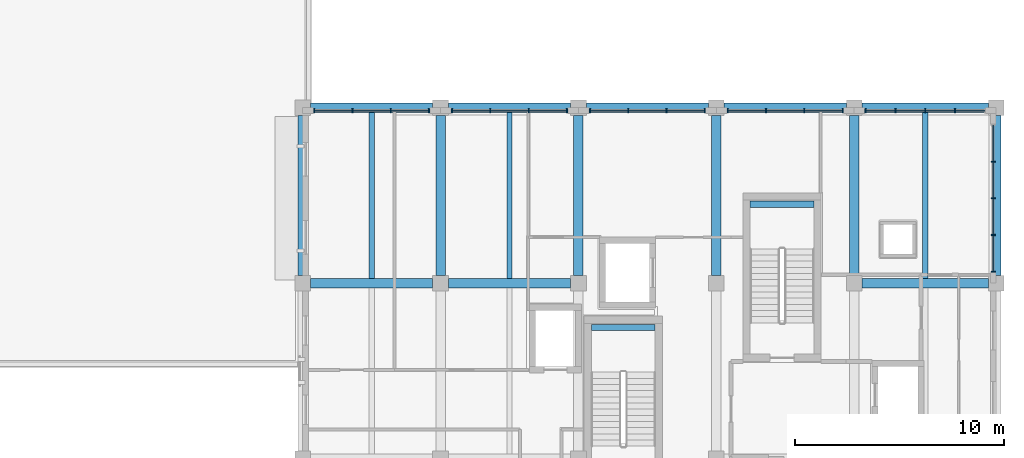
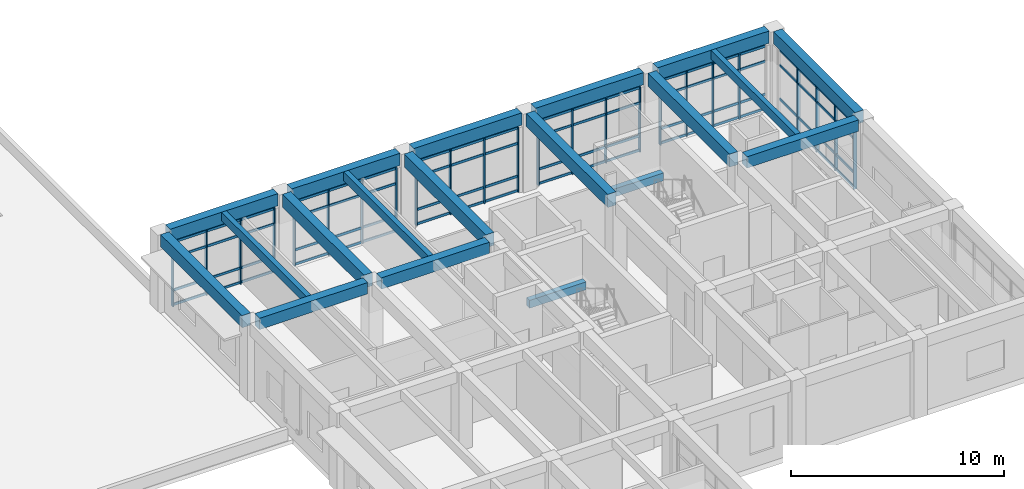
# One storey, part 17 of 50: 48 members, 19 beams, 6 elements without a shape of their own.
"""IFC4 building model written with IfcOpenShell, lengths in metres."""

from ifc_helpers import new_model, si_unit, direction, frame, origin, origin_2d, place, context, subcontext, project, spatial, rectangle, extrude, material, layer, layer_set, material_profile, profile_set, type_object, element, aggregate, save


model = new_model("IFC4")

# Units and contexts
model_context = context("Model", 3, precision=1e-05, world=origin(), true_north=direction((0.0, 1.0)))
body_context = subcontext(model_context, "Body", "Model", "MODEL_VIEW")
ifc_project = project(units=[si_unit("LENGTHUNIT", "METRE"), si_unit("AREAUNIT", "SQUARE_METRE"), si_unit("VOLUMEUNIT", "CUBIC_METRE"), si_unit("PLANEANGLEUNIT", "RADIAN"), si_unit("MASSUNIT", "GRAM", prefix="KILO")], contexts=[model_context])

# Site, building, storey
site_placement = place(None, origin())
site = spatial("IfcSite", under=ifc_project, at=site_placement, CompositionType="ELEMENT")
building_placement = place(site_placement, origin())
building = spatial("IfcBuilding", under=site, at=building_placement, Name="Kolvaren Faculty of Natural Sciences", CompositionType="ELEMENT")
storey_placement = place(building_placement, frame((0.0, 0.0, 15.0)))
storey = spatial("IfcBuildingStorey", under=building, at=storey_placement, Name="L03", CompositionType="ELEMENT", Elevation=15.0)

# Beams
ifc_material_1 = material(Name="Concrete C40/50", Category="concrete")
ifc_material_profile_1 = material_profile(ifc_material_1, rectangle(XDim=0.300048828125, YDim=0.449951171875, at=origin_2d()), Name="RC LNT 300x450")
ifc_profile_set_1 = profile_set([ifc_material_profile_1], Name="Concrete C40/50")
beam_type_1 = type_object("IfcBeamType", Name="CoreCouplingLintel_300x450", PredefinedType="LINTEL", material=ifc_profile_set_1)
beam_1_placement = place(storey_placement, frame((160.22509765625, 79.580078125, 1.824951171875), z_axis=(1.0, 0.0, 0.0), x_axis=(0.0, 1.0, 0.0)))
element("IfcBeam", 1, at=beam_1_placement, inside=storey, type_object=beam_type_1, Name="L03 ST-1 half-landing support lintel", PredefinedType="LINTEL", context=body_context, shape_type="SweptSolid", body=[
    extrude(rectangle(XDim=0.300048828125, YDim=0.449951171875, at=origin_2d()), origin(), (0.0, 0.0, 1.0), 3.0498046875),
])
beam_2_placement = place(storey_placement, frame((152.625, 73.679931640625, 1.824951171875), z_axis=(1.0, 0.0, 0.0), x_axis=(0.0, 1.0, 0.0)))
element("IfcBeam", 2, at=beam_2_placement, inside=storey, type_object=beam_type_1, Name="L03 ST-2 half-landing support lintel", PredefinedType="LINTEL", context=body_context, shape_type="SweptSolid", body=[
    extrude(rectangle(XDim=0.300048828125, YDim=0.449951171875, at=origin_2d()), origin(), (0.0, 0.0, 1.0), 3.050048828125),
])

# Curtain wall, members
ifc_material_2 = material(Name="Thermally broken anodised aluminium framing", Category="aluminium")
ifc_layer = layer(ifc_material_2, 0.179931640625)
ifc_layer_set = layer_set([ifc_layer], Name="Thermally broken anodised aluminium framing")
curtain_wall_type = type_object("IfcCurtainWallType", Name="TowerNorthCurtainWall_CW03", PredefinedType="NOTDEFINED", material=ifc_layer_set)
curtain_wall_1_placement = place(storey_placement, origin())
curtain_wall_1 = element("IfcCurtainWall", 3, at=curtain_wall_1_placement, inside=storey, type_object=curtain_wall_type, Name="L03 unitised curtain wall CW-03 (CW-L03-142)", PredefinedType="NOTDEFINED")
ifc_material_profile_2 = material_profile(ifc_material_2, rectangle(XDim=0.06005859375, YDim=0.179931640625, at=origin_2d()), Name="ALU MUL 60x180")
ifc_profile_set_2 = profile_set([ifc_material_profile_2], Name="Thermally broken anodised aluminium framing")
member_type_1 = type_object("IfcMemberType", Name="CurtainMullion_60x180", PredefinedType="MULLION", material=ifc_profile_set_2)
member_1_placement = place(storey_placement, frame((139.35009765625, 84.06005859375, 0.0), z_axis=(0.0, 0.0, 1.0), x_axis=(1.0, 0.0, 0.0)))
member_1 = element("IfcMember", 4, at=member_1_placement, type_object=member_type_1, Name="CW-L03-142 vertical mullion 1", PredefinedType="MULLION", context=body_context, shape_type="SweptSolid", body=[
    extrude(rectangle(XDim=0.06005859375, YDim=0.179931640625, at=origin_2d()), origin(), (0.0, 0.0, 1.0), 3.735107421875),
])
member_2_placement = place(storey_placement, frame((141.183349609375, 84.06005859375, 0.0), z_axis=(0.0, 0.0, 1.0), x_axis=(1.0, 0.0, 0.0)))
member_2 = element("IfcMember", 5, at=member_2_placement, type_object=member_type_1, Name="CW-L03-142 vertical mullion 2", PredefinedType="MULLION", context=body_context, shape_type="SweptSolid", body=[
    extrude(rectangle(XDim=0.06005859375, YDim=0.179931640625, at=origin_2d()), origin(), (0.0, 0.0, 1.0), 3.735107421875),
])
member_3_placement = place(storey_placement, frame((143.0166015625, 84.06005859375, 0.0), z_axis=(0.0, 0.0, 1.0), x_axis=(1.0, 0.0, 0.0)))
member_3 = element("IfcMember", 6, at=member_3_placement, type_object=member_type_1, Name="CW-L03-142 vertical mullion 3", PredefinedType="MULLION", context=body_context, shape_type="SweptSolid", body=[
    extrude(rectangle(XDim=0.06005859375, YDim=0.179931640625, at=origin_2d()), origin(), (0.0, 0.0, 1.0), 3.735107421875),
])
member_4_placement = place(storey_placement, frame((144.85009765625, 84.06005859375, 0.0), z_axis=(0.0, 0.0, 1.0), x_axis=(1.0, 0.0, 0.0)))
member_4 = element("IfcMember", 7, at=member_4_placement, type_object=member_type_1, Name="CW-L03-142 vertical mullion 4", PredefinedType="MULLION", context=body_context, shape_type="SweptSolid", body=[
    extrude(rectangle(XDim=0.06005859375, YDim=0.179931640625, at=origin_2d()), origin(), (0.0, 0.0, 1.0), 3.735107421875),
])

curtain_wall_2_placement = place(storey_placement, origin())
curtain_wall_2 = element("IfcCurtainWall", 8, at=curtain_wall_2_placement, inside=storey, type_object=curtain_wall_type, Name="L03 unitised curtain wall CW-03 (CW-L03-143)", PredefinedType="NOTDEFINED")
member_5_placement = place(storey_placement, frame((145.949951171875, 84.06005859375, 0.0), z_axis=(0.0, 0.0, 1.0), x_axis=(1.0, 0.0, 0.0)))
member_5 = element("IfcMember", 9, at=member_5_placement, type_object=member_type_1, Name="CW-L03-143 vertical mullion 1", PredefinedType="MULLION", context=body_context, shape_type="SweptSolid", body=[
    extrude(rectangle(XDim=0.06005859375, YDim=0.179931640625, at=origin_2d()), origin(), (0.0, 0.0, 1.0), 3.735107421875),
])
member_6_placement = place(storey_placement, frame((147.783203125, 84.06005859375, 0.0), z_axis=(0.0, 0.0, 1.0), x_axis=(1.0, 0.0, 0.0)))
member_6 = element("IfcMember", 10, at=member_6_placement, type_object=member_type_1, Name="CW-L03-143 vertical mullion 2", PredefinedType="MULLION", context=body_context, shape_type="SweptSolid", body=[
    extrude(rectangle(XDim=0.06005859375, YDim=0.179931640625, at=origin_2d()), origin(), (0.0, 0.0, 1.0), 3.735107421875),
])
member_7_placement = place(storey_placement, frame((149.61669921875, 84.06005859375, 0.0), z_axis=(0.0, 0.0, 1.0), x_axis=(1.0, 0.0, 0.0)))
member_7 = element("IfcMember", 11, at=member_7_placement, type_object=member_type_1, Name="CW-L03-143 vertical mullion 3", PredefinedType="MULLION", context=body_context, shape_type="SweptSolid", body=[
    extrude(rectangle(XDim=0.06005859375, YDim=0.179931640625, at=origin_2d()), origin(), (0.0, 0.0, 1.0), 3.735107421875),
])
member_8_placement = place(storey_placement, frame((151.449951171875, 84.06005859375, 0.0), z_axis=(0.0, 0.0, 1.0), x_axis=(1.0, 0.0, 0.0)))
member_8 = element("IfcMember", 12, at=member_8_placement, type_object=member_type_1, Name="CW-L03-143 vertical mullion 4", PredefinedType="MULLION", context=body_context, shape_type="SweptSolid", body=[
    extrude(rectangle(XDim=0.06005859375, YDim=0.179931640625, at=origin_2d()), origin(), (0.0, 0.0, 1.0), 3.735107421875),
])

curtain_wall_3_placement = place(storey_placement, origin())
curtain_wall_3 = element("IfcCurtainWall", 13, at=curtain_wall_3_placement, inside=storey, type_object=curtain_wall_type, Name="L03 unitised curtain wall CW-03 (CW-L03-144)", PredefinedType="NOTDEFINED")
member_9_placement = place(storey_placement, frame((152.550048828125, 84.06005859375, 0.0), z_axis=(0.0, 0.0, 1.0), x_axis=(1.0, 0.0, 0.0)))
member_9 = element("IfcMember", 14, at=member_9_placement, type_object=member_type_1, Name="CW-L03-144 vertical mullion 1", PredefinedType="MULLION", context=body_context, shape_type="SweptSolid", body=[
    extrude(rectangle(XDim=0.06005859375, YDim=0.179931640625, at=origin_2d()), origin(), (0.0, 0.0, 1.0), 3.735107421875),
])
member_10_placement = place(storey_placement, frame((154.38330078125, 84.06005859375, 0.0), z_axis=(0.0, 0.0, 1.0), x_axis=(1.0, 0.0, 0.0)))
member_10 = element("IfcMember", 15, at=member_10_placement, type_object=member_type_1, Name="CW-L03-144 vertical mullion 2", PredefinedType="MULLION", context=body_context, shape_type="SweptSolid", body=[
    extrude(rectangle(XDim=0.06005859375, YDim=0.179931640625, at=origin_2d()), origin(), (0.0, 0.0, 1.0), 3.735107421875),
])
member_11_placement = place(storey_placement, frame((156.216796875, 84.06005859375, 0.0), z_axis=(0.0, 0.0, 1.0), x_axis=(1.0, 0.0, 0.0)))
member_11 = element("IfcMember", 16, at=member_11_placement, type_object=member_type_1, Name="CW-L03-144 vertical mullion 3", PredefinedType="MULLION", context=body_context, shape_type="SweptSolid", body=[
    extrude(rectangle(XDim=0.06005859375, YDim=0.179931640625, at=origin_2d()), origin(), (0.0, 0.0, 1.0), 3.735107421875),
])
member_12_placement = place(storey_placement, frame((158.050048828125, 84.06005859375, 0.0), z_axis=(0.0, 0.0, 1.0), x_axis=(1.0, 0.0, 0.0)))
member_12 = element("IfcMember", 17, at=member_12_placement, type_object=member_type_1, Name="CW-L03-144 vertical mullion 4", PredefinedType="MULLION", context=body_context, shape_type="SweptSolid", body=[
    extrude(rectangle(XDim=0.06005859375, YDim=0.179931640625, at=origin_2d()), origin(), (0.0, 0.0, 1.0), 3.735107421875),
])

curtain_wall_4_placement = place(storey_placement, origin())
curtain_wall_4 = element("IfcCurtainWall", 18, at=curtain_wall_4_placement, inside=storey, type_object=curtain_wall_type, Name="L03 unitised curtain wall CW-03 (CW-L03-145)", PredefinedType="NOTDEFINED")
member_13_placement = place(storey_placement, frame((159.14990234375, 84.06005859375, 0.0), z_axis=(0.0, 0.0, 1.0), x_axis=(1.0, 0.0, 0.0)))
member_13 = element("IfcMember", 19, at=member_13_placement, type_object=member_type_1, Name="CW-L03-145 vertical mullion 1", PredefinedType="MULLION", context=body_context, shape_type="SweptSolid", body=[
    extrude(rectangle(XDim=0.06005859375, YDim=0.179931640625, at=origin_2d()), origin(), (0.0, 0.0, 1.0), 3.735107421875),
])
member_14_placement = place(storey_placement, frame((160.9833984375, 84.06005859375, 0.0), z_axis=(0.0, 0.0, 1.0), x_axis=(1.0, 0.0, 0.0)))
member_14 = element("IfcMember", 20, at=member_14_placement, type_object=member_type_1, Name="CW-L03-145 vertical mullion 2", PredefinedType="MULLION", context=body_context, shape_type="SweptSolid", body=[
    extrude(rectangle(XDim=0.06005859375, YDim=0.179931640625, at=origin_2d()), origin(), (0.0, 0.0, 1.0), 3.735107421875),
])
member_15_placement = place(storey_placement, frame((162.816650390625, 84.06005859375, 0.0), z_axis=(0.0, 0.0, 1.0), x_axis=(1.0, 0.0, 0.0)))
member_15 = element("IfcMember", 21, at=member_15_placement, type_object=member_type_1, Name="CW-L03-145 vertical mullion 3", PredefinedType="MULLION", context=body_context, shape_type="SweptSolid", body=[
    extrude(rectangle(XDim=0.06005859375, YDim=0.179931640625, at=origin_2d()), origin(), (0.0, 0.0, 1.0), 3.735107421875),
])
member_16_placement = place(storey_placement, frame((164.64990234375, 84.06005859375, 0.0), z_axis=(0.0, 0.0, 1.0), x_axis=(1.0, 0.0, 0.0)))
member_16 = element("IfcMember", 22, at=member_16_placement, type_object=member_type_1, Name="CW-L03-145 vertical mullion 4", PredefinedType="MULLION", context=body_context, shape_type="SweptSolid", body=[
    extrude(rectangle(XDim=0.06005859375, YDim=0.179931640625, at=origin_2d()), origin(), (0.0, 0.0, 1.0), 3.735107421875),
])

curtain_wall_5_placement = place(storey_placement, origin())
curtain_wall_5 = element("IfcCurtainWall", 23, at=curtain_wall_5_placement, inside=storey, type_object=curtain_wall_type, Name="L03 unitised curtain wall CW-03 (CW-L03-146)", PredefinedType="NOTDEFINED")
member_17_placement = place(storey_placement, frame((165.75, 84.06005859375, 0.0), z_axis=(0.0, 0.0, 1.0), x_axis=(1.0, 0.0, 0.0)))
member_17 = element("IfcMember", 24, at=member_17_placement, type_object=member_type_1, Name="CW-L03-146 vertical mullion 1", PredefinedType="MULLION", context=body_context, shape_type="SweptSolid", body=[
    extrude(rectangle(XDim=0.06005859375, YDim=0.179931640625, at=origin_2d()), origin(), (0.0, 0.0, 1.0), 3.735107421875),
])
member_18_placement = place(storey_placement, frame((167.175048828125, 84.06005859375, 0.0), z_axis=(0.0, 0.0, 1.0), x_axis=(1.0, 0.0, 0.0)))
member_18 = element("IfcMember", 25, at=member_18_placement, type_object=member_type_1, Name="CW-L03-146 vertical mullion 2", PredefinedType="MULLION", context=body_context, shape_type="SweptSolid", body=[
    extrude(rectangle(XDim=0.06005859375, YDim=0.179931640625, at=origin_2d()), origin(), (0.0, 0.0, 1.0), 3.735107421875),
])
member_19_placement = place(storey_placement, frame((168.60009765625, 84.06005859375, 0.0), z_axis=(0.0, 0.0, 1.0), x_axis=(1.0, 0.0, 0.0)))
member_19 = element("IfcMember", 26, at=member_19_placement, type_object=member_type_1, Name="CW-L03-146 vertical mullion 3", PredefinedType="MULLION", context=body_context, shape_type="SweptSolid", body=[
    extrude(rectangle(XDim=0.06005859375, YDim=0.179931640625, at=origin_2d()), origin(), (0.0, 0.0, 1.0), 3.735107421875),
])
member_20_placement = place(storey_placement, frame((170.02490234375, 84.06005859375, 0.0), z_axis=(0.0, 0.0, 1.0), x_axis=(1.0, 0.0, 0.0)))
member_20 = element("IfcMember", 27, at=member_20_placement, type_object=member_type_1, Name="CW-L03-146 vertical mullion 4", PredefinedType="MULLION", context=body_context, shape_type="SweptSolid", body=[
    extrude(rectangle(XDim=0.06005859375, YDim=0.179931640625, at=origin_2d()), origin(), (0.0, 0.0, 1.0), 3.735107421875),
])

curtain_wall_6_placement = place(storey_placement, origin())
curtain_wall_6 = element("IfcCurtainWall", 28, at=curtain_wall_6_placement, inside=storey, type_object=curtain_wall_type, Name="L03 unitised curtain wall CW-03 (CW-L03-147)", PredefinedType="NOTDEFINED")
member_21_placement = place(storey_placement, frame((171.860107421875, 81.614990234375, 0.0), z_axis=(0.0, 0.0, 1.0), x_axis=(0.0, -1.0, 0.0)))
member_21 = element("IfcMember", 29, at=member_21_placement, type_object=member_type_1, Name="CW-L03-147 vertical mullion 2", PredefinedType="MULLION", context=body_context, shape_type="SweptSolid", body=[
    extrude(rectangle(XDim=0.06005859375, YDim=0.179931640625, at=origin_2d()), origin(), (0.0, 0.0, 1.0), 3.784912109375),
])
member_22_placement = place(storey_placement, frame((171.860107421875, 79.860107421875, 0.0), z_axis=(0.0, 0.0, 1.0), x_axis=(0.0, -1.0, 0.0)))
member_22 = element("IfcMember", 30, at=member_22_placement, type_object=member_type_1, Name="CW-L03-147 vertical mullion 3", PredefinedType="MULLION", context=body_context, shape_type="SweptSolid", body=[
    extrude(rectangle(XDim=0.06005859375, YDim=0.179931640625, at=origin_2d()), origin(), (0.0, 0.0, 1.0), 3.784912109375),
])
member_23_placement = place(storey_placement, frame((171.860107421875, 78.10498046875, 0.0), z_axis=(0.0, 0.0, 1.0), x_axis=(0.0, -1.0, 0.0)))
member_23 = element("IfcMember", 31, at=member_23_placement, type_object=member_type_1, Name="CW-L03-147 vertical mullion 4", PredefinedType="MULLION", context=body_context, shape_type="SweptSolid", body=[
    extrude(rectangle(XDim=0.06005859375, YDim=0.179931640625, at=origin_2d()), origin(), (0.0, 0.0, 1.0), 3.784912109375),
])
member_24_placement = place(storey_placement, frame((171.860107421875, 76.35009765625, 0.0), z_axis=(0.0, 0.0, 1.0), x_axis=(0.0, -1.0, 0.0)))
member_24 = element("IfcMember", 32, at=member_24_placement, type_object=member_type_1, Name="CW-L03-147 vertical mullion 5", PredefinedType="MULLION", context=body_context, shape_type="SweptSolid", body=[
    extrude(rectangle(XDim=0.06005859375, YDim=0.179931640625, at=origin_2d()), origin(), (0.0, 0.0, 1.0), 3.784912109375),
])

# Member
ifc_material_profile_3 = material_profile(ifc_material_2, rectangle(XDim=0.06005859375, YDim=0.139892578125, at=origin_2d()), Name="ALU TRN 60x140")
ifc_profile_set_3 = profile_set([ifc_material_profile_3], Name="Thermally broken anodised aluminium framing")
member_type_2 = type_object("IfcMemberType", Name="CurtainTransom_60x140", PredefinedType="USERDEFINED", material=ifc_profile_set_3)
member_25_placement = place(storey_placement, frame((139.35009765625, 84.06005859375, 0.080078125), z_axis=(1.0, 0.0, 0.0), x_axis=(0.0, 1.0, 0.0)))
member_25 = element("IfcMember", 33, at=member_25_placement, type_object=member_type_2, Name="CW-L03-142 horizontal transom 1", ObjectType="TRANSOM", PredefinedType="USERDEFINED", context=body_context, shape_type="SweptSolid", body=[
    extrude(rectangle(XDim=0.06005859375, YDim=0.139892578125, at=origin_2d()), origin(), (0.0, 0.0, 1.0), 5.5),
])

member_26_placement = place(storey_placement, frame((139.35009765625, 84.06005859375, 0.89990234375), z_axis=(1.0, 0.0, 0.0), x_axis=(0.0, 1.0, 0.0)))
member_26 = element("IfcMember", 34, at=member_26_placement, type_object=member_type_2, Name="CW-L03-142 horizontal transom 2", ObjectType="TRANSOM", PredefinedType="USERDEFINED", context=body_context, shape_type="SweptSolid", body=[
    extrude(rectangle(XDim=0.06005859375, YDim=0.139892578125, at=origin_2d()), origin(), (0.0, 0.0, 1.0), 5.5),
])

member_27_placement = place(storey_placement, frame((139.35009765625, 84.06005859375, 2.784912109375), z_axis=(1.0, 0.0, 0.0), x_axis=(0.0, 1.0, 0.0)))
member_27 = element("IfcMember", 35, at=member_27_placement, type_object=member_type_2, Name="CW-L03-142 horizontal transom 3", ObjectType="TRANSOM", PredefinedType="USERDEFINED", context=body_context, shape_type="SweptSolid", body=[
    extrude(rectangle(XDim=0.06005859375, YDim=0.139892578125, at=origin_2d()), origin(), (0.0, 0.0, 1.0), 5.5),
])

member_28_placement = place(storey_placement, frame((139.35009765625, 84.06005859375, 3.655029296875), z_axis=(1.0, 0.0, 0.0), x_axis=(0.0, 1.0, 0.0)))
member_28 = element("IfcMember", 36, at=member_28_placement, type_object=member_type_2, Name="CW-L03-142 horizontal transom 4", ObjectType="TRANSOM", PredefinedType="USERDEFINED", context=body_context, shape_type="SweptSolid", body=[
    extrude(rectangle(XDim=0.06005859375, YDim=0.139892578125, at=origin_2d()), origin(), (0.0, 0.0, 1.0), 5.5),
])

aggregate(curtain_wall_1, [member_1, member_2, member_3, member_4, member_25, member_26, member_27, member_28])

member_29_placement = place(storey_placement, frame((145.949951171875, 84.06005859375, 0.080078125), z_axis=(1.0, 0.0, 0.0), x_axis=(0.0, 1.0, 0.0)))
member_29 = element("IfcMember", 37, at=member_29_placement, type_object=member_type_2, Name="CW-L03-143 horizontal transom 1", ObjectType="TRANSOM", PredefinedType="USERDEFINED", context=body_context, shape_type="SweptSolid", body=[
    extrude(rectangle(XDim=0.06005859375, YDim=0.139892578125, at=origin_2d()), origin(), (0.0, 0.0, 1.0), 5.5),
])

member_30_placement = place(storey_placement, frame((145.949951171875, 84.06005859375, 0.89990234375), z_axis=(1.0, 0.0, 0.0), x_axis=(0.0, 1.0, 0.0)))
member_30 = element("IfcMember", 38, at=member_30_placement, type_object=member_type_2, Name="CW-L03-143 horizontal transom 2", ObjectType="TRANSOM", PredefinedType="USERDEFINED", context=body_context, shape_type="SweptSolid", body=[
    extrude(rectangle(XDim=0.06005859375, YDim=0.139892578125, at=origin_2d()), origin(), (0.0, 0.0, 1.0), 5.5),
])

member_31_placement = place(storey_placement, frame((145.949951171875, 84.06005859375, 2.784912109375), z_axis=(1.0, 0.0, 0.0), x_axis=(0.0, 1.0, 0.0)))
member_31 = element("IfcMember", 39, at=member_31_placement, type_object=member_type_2, Name="CW-L03-143 horizontal transom 3", ObjectType="TRANSOM", PredefinedType="USERDEFINED", context=body_context, shape_type="SweptSolid", body=[
    extrude(rectangle(XDim=0.06005859375, YDim=0.139892578125, at=origin_2d()), origin(), (0.0, 0.0, 1.0), 5.5),
])

member_32_placement = place(storey_placement, frame((145.949951171875, 84.06005859375, 3.655029296875), z_axis=(1.0, 0.0, 0.0), x_axis=(0.0, 1.0, 0.0)))
member_32 = element("IfcMember", 40, at=member_32_placement, type_object=member_type_2, Name="CW-L03-143 horizontal transom 4", ObjectType="TRANSOM", PredefinedType="USERDEFINED", context=body_context, shape_type="SweptSolid", body=[
    extrude(rectangle(XDim=0.06005859375, YDim=0.139892578125, at=origin_2d()), origin(), (0.0, 0.0, 1.0), 5.5),
])

aggregate(curtain_wall_2, [member_5, member_6, member_7, member_8, member_29, member_30, member_31, member_32])

member_33_placement = place(storey_placement, frame((152.550048828125, 84.06005859375, 0.080078125), z_axis=(1.0, 0.0, 0.0), x_axis=(0.0, 1.0, 0.0)))
member_33 = element("IfcMember", 41, at=member_33_placement, type_object=member_type_2, Name="CW-L03-144 horizontal transom 1", ObjectType="TRANSOM", PredefinedType="USERDEFINED", context=body_context, shape_type="SweptSolid", body=[
    extrude(rectangle(XDim=0.06005859375, YDim=0.139892578125, at=origin_2d()), origin(), (0.0, 0.0, 1.0), 5.5),
])

member_34_placement = place(storey_placement, frame((152.550048828125, 84.06005859375, 0.89990234375), z_axis=(1.0, 0.0, 0.0), x_axis=(0.0, 1.0, 0.0)))
member_34 = element("IfcMember", 42, at=member_34_placement, type_object=member_type_2, Name="CW-L03-144 horizontal transom 2", ObjectType="TRANSOM", PredefinedType="USERDEFINED", context=body_context, shape_type="SweptSolid", body=[
    extrude(rectangle(XDim=0.06005859375, YDim=0.139892578125, at=origin_2d()), origin(), (0.0, 0.0, 1.0), 5.5),
])

member_35_placement = place(storey_placement, frame((152.550048828125, 84.06005859375, 2.784912109375), z_axis=(1.0, 0.0, 0.0), x_axis=(0.0, 1.0, 0.0)))
member_35 = element("IfcMember", 43, at=member_35_placement, type_object=member_type_2, Name="CW-L03-144 horizontal transom 3", ObjectType="TRANSOM", PredefinedType="USERDEFINED", context=body_context, shape_type="SweptSolid", body=[
    extrude(rectangle(XDim=0.06005859375, YDim=0.139892578125, at=origin_2d()), origin(), (0.0, 0.0, 1.0), 5.5),
])

member_36_placement = place(storey_placement, frame((152.550048828125, 84.06005859375, 3.655029296875), z_axis=(1.0, 0.0, 0.0), x_axis=(0.0, 1.0, 0.0)))
member_36 = element("IfcMember", 44, at=member_36_placement, type_object=member_type_2, Name="CW-L03-144 horizontal transom 4", ObjectType="TRANSOM", PredefinedType="USERDEFINED", context=body_context, shape_type="SweptSolid", body=[
    extrude(rectangle(XDim=0.06005859375, YDim=0.139892578125, at=origin_2d()), origin(), (0.0, 0.0, 1.0), 5.5),
])

aggregate(curtain_wall_3, [member_9, member_10, member_11, member_12, member_33, member_34, member_35, member_36])

member_37_placement = place(storey_placement, frame((159.14990234375, 84.06005859375, 0.080078125), z_axis=(1.0, 0.0, 0.0), x_axis=(0.0, 1.0, 0.0)))
member_37 = element("IfcMember", 45, at=member_37_placement, type_object=member_type_2, Name="CW-L03-145 horizontal transom 1", ObjectType="TRANSOM", PredefinedType="USERDEFINED", context=body_context, shape_type="SweptSolid", body=[
    extrude(rectangle(XDim=0.06005859375, YDim=0.139892578125, at=origin_2d()), origin(), (0.0, 0.0, 1.0), 5.5),
])

member_38_placement = place(storey_placement, frame((159.14990234375, 84.06005859375, 0.89990234375), z_axis=(1.0, 0.0, 0.0), x_axis=(0.0, 1.0, 0.0)))
member_38 = element("IfcMember", 46, at=member_38_placement, type_object=member_type_2, Name="CW-L03-145 horizontal transom 2", ObjectType="TRANSOM", PredefinedType="USERDEFINED", context=body_context, shape_type="SweptSolid", body=[
    extrude(rectangle(XDim=0.06005859375, YDim=0.139892578125, at=origin_2d()), origin(), (0.0, 0.0, 1.0), 5.5),
])

member_39_placement = place(storey_placement, frame((159.14990234375, 84.06005859375, 2.784912109375), z_axis=(1.0, 0.0, 0.0), x_axis=(0.0, 1.0, 0.0)))
member_39 = element("IfcMember", 47, at=member_39_placement, type_object=member_type_2, Name="CW-L03-145 horizontal transom 3", ObjectType="TRANSOM", PredefinedType="USERDEFINED", context=body_context, shape_type="SweptSolid", body=[
    extrude(rectangle(XDim=0.06005859375, YDim=0.139892578125, at=origin_2d()), origin(), (0.0, 0.0, 1.0), 5.5),
])

member_40_placement = place(storey_placement, frame((159.14990234375, 84.06005859375, 3.655029296875), z_axis=(1.0, 0.0, 0.0), x_axis=(0.0, 1.0, 0.0)))
member_40 = element("IfcMember", 48, at=member_40_placement, type_object=member_type_2, Name="CW-L03-145 horizontal transom 4", ObjectType="TRANSOM", PredefinedType="USERDEFINED", context=body_context, shape_type="SweptSolid", body=[
    extrude(rectangle(XDim=0.06005859375, YDim=0.139892578125, at=origin_2d()), origin(), (0.0, 0.0, 1.0), 5.5),
])

aggregate(curtain_wall_4, [member_13, member_14, member_15, member_16, member_37, member_38, member_39, member_40])

member_41_placement = place(storey_placement, frame((165.75, 84.06005859375, 0.080078125), z_axis=(1.0, 0.0, 0.0), x_axis=(0.0, 1.0, 0.0)))
member_41 = element("IfcMember", 49, at=member_41_placement, type_object=member_type_2, Name="CW-L03-146 horizontal transom 1", ObjectType="TRANSOM", PredefinedType="USERDEFINED", context=body_context, shape_type="SweptSolid", body=[
    extrude(rectangle(XDim=0.06005859375, YDim=0.139892578125, at=origin_2d()), origin(), (0.0, 0.0, 1.0), 5.699951171875),
])

member_42_placement = place(storey_placement, frame((165.75, 84.06005859375, 0.89990234375), z_axis=(1.0, 0.0, 0.0), x_axis=(0.0, 1.0, 0.0)))
member_42 = element("IfcMember", 50, at=member_42_placement, type_object=member_type_2, Name="CW-L03-146 horizontal transom 2", ObjectType="TRANSOM", PredefinedType="USERDEFINED", context=body_context, shape_type="SweptSolid", body=[
    extrude(rectangle(XDim=0.06005859375, YDim=0.139892578125, at=origin_2d()), origin(), (0.0, 0.0, 1.0), 5.699951171875),
])

member_43_placement = place(storey_placement, frame((165.75, 84.06005859375, 2.784912109375), z_axis=(1.0, 0.0, 0.0), x_axis=(0.0, 1.0, 0.0)))
member_43 = element("IfcMember", 51, at=member_43_placement, type_object=member_type_2, Name="CW-L03-146 horizontal transom 3", ObjectType="TRANSOM", PredefinedType="USERDEFINED", context=body_context, shape_type="SweptSolid", body=[
    extrude(rectangle(XDim=0.06005859375, YDim=0.139892578125, at=origin_2d()), origin(), (0.0, 0.0, 1.0), 5.699951171875),
])

member_44_placement = place(storey_placement, frame((165.75, 84.06005859375, 3.655029296875), z_axis=(1.0, 0.0, 0.0), x_axis=(0.0, 1.0, 0.0)))
member_44 = element("IfcMember", 52, at=member_44_placement, type_object=member_type_2, Name="CW-L03-146 horizontal transom 4", ObjectType="TRANSOM", PredefinedType="USERDEFINED", context=body_context, shape_type="SweptSolid", body=[
    extrude(rectangle(XDim=0.06005859375, YDim=0.139892578125, at=origin_2d()), origin(), (0.0, 0.0, 1.0), 5.699951171875),
])

aggregate(curtain_wall_5, [member_17, member_18, member_19, member_20, member_41, member_42, member_43, member_44])

member_45_placement = place(storey_placement, frame((171.860107421875, 83.3701171875, 0.080078125), z_axis=(0.0, -1.0, 0.0), x_axis=(1.0, 0.0, 0.0)))
member_45 = element("IfcMember", 53, at=member_45_placement, type_object=member_type_2, Name="CW-L03-147 horizontal transom 1", ObjectType="TRANSOM", PredefinedType="USERDEFINED", context=body_context, shape_type="SweptSolid", body=[
    extrude(rectangle(XDim=0.06005859375, YDim=0.139892578125, at=origin_2d()), origin(), (0.0, 0.0, 1.0), 7.02001953125),
])

member_46_placement = place(storey_placement, frame((171.860107421875, 83.3701171875, 0.89990234375), z_axis=(0.0, -1.0, 0.0), x_axis=(1.0, 0.0, 0.0)))
member_46 = element("IfcMember", 54, at=member_46_placement, type_object=member_type_2, Name="CW-L03-147 horizontal transom 2", ObjectType="TRANSOM", PredefinedType="USERDEFINED", context=body_context, shape_type="SweptSolid", body=[
    extrude(rectangle(XDim=0.06005859375, YDim=0.139892578125, at=origin_2d()), origin(), (0.0, 0.0, 1.0), 7.02001953125),
])

member_47_placement = place(storey_placement, frame((171.860107421875, 83.3701171875, 2.8349609375), z_axis=(0.0, -1.0, 0.0), x_axis=(1.0, 0.0, 0.0)))
member_47 = element("IfcMember", 55, at=member_47_placement, type_object=member_type_2, Name="CW-L03-147 horizontal transom 3", ObjectType="TRANSOM", PredefinedType="USERDEFINED", context=body_context, shape_type="SweptSolid", body=[
    extrude(rectangle(XDim=0.06005859375, YDim=0.139892578125, at=origin_2d()), origin(), (0.0, 0.0, 1.0), 7.02001953125),
])

member_48_placement = place(storey_placement, frame((171.860107421875, 83.3701171875, 3.705078125), z_axis=(0.0, -1.0, 0.0), x_axis=(1.0, 0.0, 0.0)))
member_48 = element("IfcMember", 56, at=member_48_placement, type_object=member_type_2, Name="CW-L03-147 horizontal transom 4", ObjectType="TRANSOM", PredefinedType="USERDEFINED", context=body_context, shape_type="SweptSolid", body=[
    extrude(rectangle(XDim=0.06005859375, YDim=0.139892578125, at=origin_2d()), origin(), (0.0, 0.0, 1.0), 7.02001953125),
])

aggregate(curtain_wall_6, [member_21, member_22, member_23, member_24, member_45, member_46, member_47, member_48])

# Beams
ifc_material_3 = material(Name="Concrete C35/45", Category="concrete")
ifc_material_profile_4 = material_profile(ifc_material_3, rectangle(XDim=0.449951171875, YDim=0.64990234375, at=origin_2d()), Name="RC BM 450x650")
ifc_profile_set_4 = profile_set([ifc_material_profile_4], Name="Concrete C35/45")
beam_type_2 = type_object("IfcBeamType", Name="GridBeam_450x650", PredefinedType="BEAM", material=ifc_profile_set_4)
beam_3_placement = place(storey_placement, frame((139.175048828125, 75.800048828125, 4.175048828125), z_axis=(1.0, 0.0, 0.0), x_axis=(0.0, 1.0, 0.0)))
element("IfcBeam", 57, at=beam_3_placement, inside=storey, type_object=beam_type_2, Name="L03 beam BM-65 on grid K", PredefinedType="BEAM", context=body_context, shape_type="SweptSolid", body=[
    extrude(rectangle(XDim=0.449951171875, YDim=0.64990234375, at=origin_2d()), origin(), (0.0, 0.0, 1.0), 5.849853515625),
])
beam_4_placement = place(storey_placement, frame((145.77490234375, 75.800048828125, 4.175048828125), z_axis=(1.0, 0.0, 0.0), x_axis=(0.0, 1.0, 0.0)))
element("IfcBeam", 58, at=beam_4_placement, inside=storey, type_object=beam_type_2, Name="L03 beam BM-65 on grid K", PredefinedType="BEAM", context=body_context, shape_type="SweptSolid", body=[
    extrude(rectangle(XDim=0.449951171875, YDim=0.64990234375, at=origin_2d()), origin(), (0.0, 0.0, 1.0), 5.85009765625),
])
beam_5_placement = place(storey_placement, frame((165.574951171875, 75.800048828125, 4.175048828125), z_axis=(1.0, 0.0, 0.0), x_axis=(0.0, 1.0, 0.0)))
element("IfcBeam", 59, at=beam_5_placement, inside=storey, type_object=beam_type_2, Name="L03 beam BM-65 on grid K", PredefinedType="BEAM", context=body_context, shape_type="SweptSolid", body=[
    extrude(rectangle(XDim=0.449951171875, YDim=0.64990234375, at=origin_2d()), origin(), (0.0, 0.0, 1.0), 6.050048828125),
])
ifc_material_profile_5 = material_profile(ifc_material_3, rectangle(XDim=0.260009765625, YDim=0.5, at=origin_2d()), Name="RC JST 260x500")
ifc_profile_set_5 = profile_set([ifc_material_profile_5], Name="Concrete C35/45")
beam_type_3 = type_object("IfcBeamType", Name="LabRibJoist_260x500", PredefinedType="JOIST", material=ifc_profile_set_5)
for number, where, z_axis, x_axis, name in (
    (60, (142.10009765625, 76.02490234375, 4.25), (0.0, 1.0, 0.0), (-1.0, 0.0, 0.0), "L03 ribbed laboratory slab joist JS-50"),
    (61, (148.699951171875, 76.02490234375, 4.25), (0.0, 1.0, 0.0), (-1.0, 0.0, 0.0), "L03 ribbed laboratory slab joist JS-50"),
    (62, (168.60009765625, 76.02490234375, 4.25), (0.0, 1.0, 0.0), (-1.0, 0.0, 0.0), "L03 ribbed laboratory slab joist JS-50"),
):
    element("IfcBeam", number, at=place(storey_placement, frame(where, z_axis=z_axis, x_axis=x_axis)), inside=storey, type_object=beam_type_3, Name=name, PredefinedType="JOIST", context=body_context, shape_type="SweptSolid", body=[
        extrude(rectangle(XDim=0.260009765625, YDim=0.5, at=origin_2d()), origin(), (0.0, 0.0, 1.0), 7.9501953125),
    ])
ifc_material_profile_6 = material_profile(ifc_material_3, rectangle(XDim=0.449951171875, YDim=0.699951171875, at=origin_2d()), Name="RC SP 450x700")
ifc_profile_set_6 = profile_set([ifc_material_profile_6], Name="Concrete C35/45")
beam_type_4 = type_object("IfcBeamType", Name="PerimeterSpandrel_450x700", PredefinedType="SPANDREL", material=ifc_profile_set_6)
beam_6_placement = place(storey_placement, frame((139.175048828125, 84.199951171875, 4.14990234375), z_axis=(1.0, 0.0, 0.0), x_axis=(0.0, 1.0, 0.0)))
element("IfcBeam", 63, at=beam_6_placement, inside=storey, type_object=beam_type_4, Name="L03 spandrel SP-70 on grid L", PredefinedType="SPANDREL", context=body_context, shape_type="SweptSolid", body=[
    extrude(rectangle(XDim=0.449951171875, YDim=0.699951171875, at=origin_2d()), origin(), (0.0, 0.0, 1.0), 5.849853515625),
])
for number, where, z_axis, x_axis, name in (
    (64, (145.77490234375, 84.199951171875, 4.14990234375), (1.0, 0.0, 0.0), (0.0, 1.0, 0.0), "L03 spandrel SP-70 on grid L"),
    (65, (152.375, 84.199951171875, 4.14990234375), (1.0, 0.0, 0.0), (0.0, 1.0, 0.0), "L03 spandrel SP-70 on grid L"),
):
    element("IfcBeam", number, at=place(storey_placement, frame(where, z_axis=z_axis, x_axis=x_axis)), inside=storey, type_object=beam_type_4, Name=name, PredefinedType="SPANDREL", context=body_context, shape_type="SweptSolid", body=[
        extrude(rectangle(XDim=0.449951171875, YDim=0.699951171875, at=origin_2d()), origin(), (0.0, 0.0, 1.0), 5.85009765625),
    ])
beam_7_placement = place(storey_placement, frame((158.97509765625, 84.199951171875, 4.14990234375), z_axis=(1.0, 0.0, 0.0), x_axis=(0.0, 1.0, 0.0)))
element("IfcBeam", 66, at=beam_7_placement, inside=storey, type_object=beam_type_4, Name="L03 spandrel SP-70 on grid L", PredefinedType="SPANDREL", context=body_context, shape_type="SweptSolid", body=[
    extrude(rectangle(XDim=0.449951171875, YDim=0.699951171875, at=origin_2d()), origin(), (0.0, 0.0, 1.0), 5.849853515625),
])
beam_8_placement = place(storey_placement, frame((165.574951171875, 84.199951171875, 4.14990234375), z_axis=(1.0, 0.0, 0.0), x_axis=(0.0, 1.0, 0.0)))
element("IfcBeam", 67, at=beam_8_placement, inside=storey, type_object=beam_type_4, Name="L03 spandrel SP-70 on grid L", PredefinedType="SPANDREL", context=body_context, shape_type="SweptSolid", body=[
    extrude(rectangle(XDim=0.449951171875, YDim=0.699951171875, at=origin_2d()), origin(), (0.0, 0.0, 1.0), 6.050048828125),
])
for number, where, z_axis, x_axis, name in (
    (68, (138.800048828125, 76.175048828125, 4.14990234375), (0.0, 1.0, 0.0), (-1.0, 0.0, 0.0), "L03 girder SP-70 on grid 22"),
    (69, (172.0, 76.175048828125, 4.14990234375), (0.0, 1.0, 0.0), (-1.0, 0.0, 0.0), "L03 girder SP-70 on grid 27"),
):
    element("IfcBeam", number, at=place(storey_placement, frame(where, z_axis=z_axis, x_axis=x_axis)), inside=storey, type_object=beam_type_4, Name=name, PredefinedType="SPANDREL", context=body_context, shape_type="SweptSolid", body=[
        extrude(rectangle(XDim=0.449951171875, YDim=0.699951171875, at=origin_2d()), origin(), (0.0, 0.0, 1.0), 7.64990234375),
    ])
ifc_material_profile_7 = material_profile(ifc_material_3, rectangle(XDim=0.449951171875, YDim=0.75, at=origin_2d()), Name="RC BM 450x750")
ifc_profile_set_7 = profile_set([ifc_material_profile_7], Name="Concrete C35/45")
beam_type_5 = type_object("IfcBeamType", Name="PrimaryGirder_450x750", PredefinedType="BEAM", material=ifc_profile_set_7)
for number, where, z_axis, x_axis, name in (
    (70, (145.39990234375, 76.175048828125, 4.125), (0.0, 1.0, 0.0), (-1.0, 0.0, 0.0), "L03 girder BG-75 on grid 23"),
    (71, (152.0, 76.175048828125, 4.125), (0.0, 1.0, 0.0), (-1.0, 0.0, 0.0), "L03 girder BG-75 on grid 24"),
    (72, (158.60009765625, 76.175048828125, 4.125), (0.0, 1.0, 0.0), (-1.0, 0.0, 0.0), "L03 girder BG-75 on grid 25"),
    (73, (165.199951171875, 76.175048828125, 4.125), (0.0, 1.0, 0.0), (-1.0, 0.0, 0.0), "L03 girder BG-75 on grid 26"),
):
    element("IfcBeam", number, at=place(storey_placement, frame(where, z_axis=z_axis, x_axis=x_axis)), inside=storey, type_object=beam_type_5, Name=name, PredefinedType="BEAM", context=body_context, shape_type="SweptSolid", body=[
        extrude(rectangle(XDim=0.449951171875, YDim=0.75, at=origin_2d()), origin(), (0.0, 0.0, 1.0), 7.64990234375),
    ])

save(model, "model.ifc")
